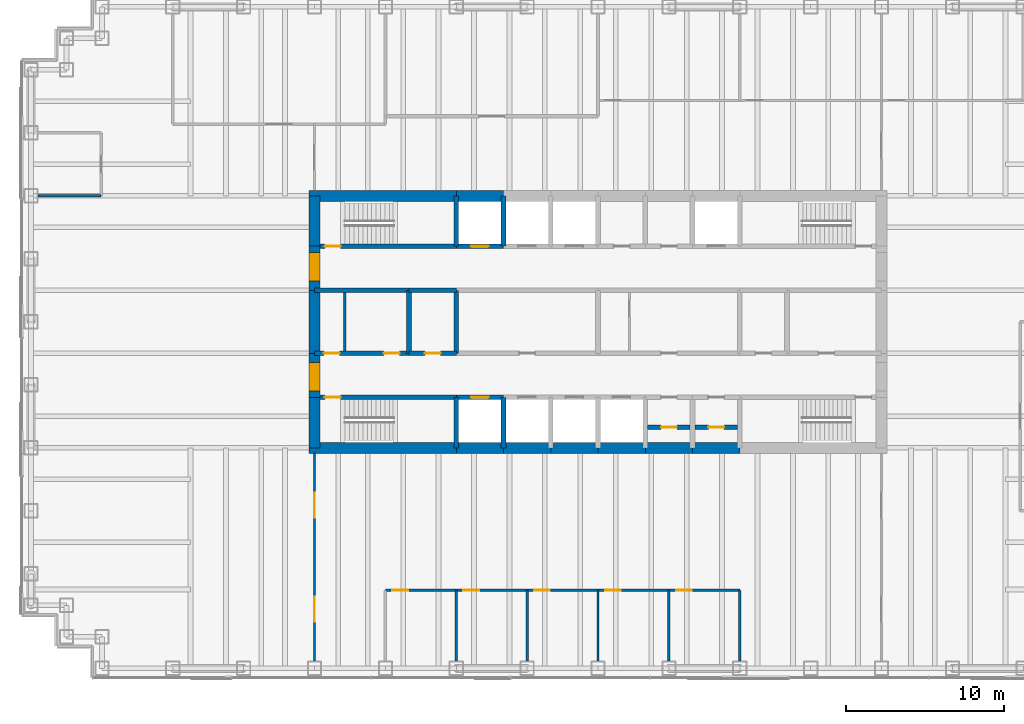
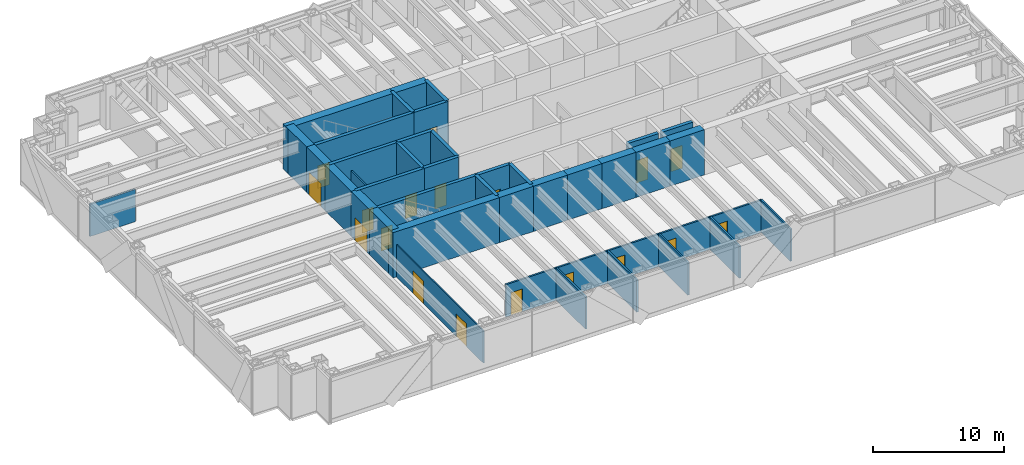
# One storey, part 11 of 15: 39 walls, 18 doors, 18 openings.
"""IFC4 building model written with IfcOpenShell, lengths in metres."""

from ifc_helpers import new_model, si_unit, direction, frame, frame_2d, origin, place, context, subcontext, project, spatial, rectangle, extrude, material, layer, layer_set, type_object, element, fill, save


model = new_model("IFC4")

# Units and contexts
model_context = context("Model", 3, precision=1e-05, world=origin(), true_north=direction((0.0, 1.0)))
body_context = subcontext(model_context, "Body", "Model", "MODEL_VIEW")
ifc_project = project(units=[si_unit("LENGTHUNIT", "METRE"), si_unit("AREAUNIT", "SQUARE_METRE"), si_unit("VOLUMEUNIT", "CUBIC_METRE"), si_unit("PLANEANGLEUNIT", "RADIAN"), si_unit("MASSUNIT", "GRAM", prefix="KILO")], contexts=[model_context])

# Site, building, storey
site_placement = place(None, origin())
site = spatial("IfcSite", under=ifc_project, at=site_placement, CompositionType="ELEMENT")
building_placement = place(site_placement, origin())
building = spatial("IfcBuilding", under=site, at=building_placement, Name="Rheinbord Bourse Tower", CompositionType="ELEMENT")
storey_placement = place(building_placement, frame((0.0, 0.0, 308.89990234375)))
storey = spatial("IfcBuildingStorey", under=building, at=storey_placement, Name="L70", CompositionType="ELEMENT", Elevation=308.89990234375)

# Wall, opening, door
ifc_material_1 = material(Name="Concrete C50/60", Category="concrete")
ifc_layer_1 = layer(ifc_material_1, 0.300048828125)
ifc_layer_set_1 = layer_set([ifc_layer_1], Name="CORE INNER WALL 300")
wall_type_1 = type_object("IfcWallType", Name="CORE INNER WALL 300", PredefinedType="SOLIDWALL", material=ifc_layer_set_1)
wall_1_placement = place(storey_placement, frame((18.0, 19.199951171875, 0.0), z_axis=(0.0, 0.0, 1.0), x_axis=(1.0, 0.0, 0.0)))
wall_1 = element("IfcWall", 1, at=wall_1_placement, inside=storey, type_object=wall_type_1, Name="Core wall A1 L70", PredefinedType="SOLIDWALL", context=body_context, shape_type="SweptSolid", body=[
    extrude(rectangle(XDim=9.0, YDim=0.300048828125, at=frame_2d((4.5, 0.0))), origin(), (0.0, 0.0, 1.0), 4.2001953125),
])
opening_1_placement = place(wall_1_placement, frame((0.64990234375, 0.0, 0.0)))
opening_1 = element("IfcOpeningElement", 2, at=opening_1_placement, cuts=wall_1, Name="Opening 7010", PredefinedType="OPENING", context=body_context, shape_type="SweptSolid", body=[
    extrude(rectangle(XDim=1.0, YDim=2.10009765625, at=frame_2d((0.5, 1.050048828125))), frame((0.0, 0.159912109375, 0.0), z_axis=(0.0, -1.0, 0.0), x_axis=(1.0, 0.0, 0.0)), (0.0, 0.0, 1.0), 0.320068359375),
])
ifc_material_2 = material(Name="Steel door", Category="steel")
door_type_1 = type_object("IfcDoorType", Name="DOOR 1000 EI30", OperationType="SINGLE_SWING_LEFT", PredefinedType="DOOR", material=ifc_material_2)
door_1_placement = place(opening_1_placement, origin())
door_1 = element("IfcDoor", 3, at=door_1_placement, inside=storey, type_object=door_type_1, Name="Stair door ST1 L70", OperationType="SINGLE_SWING_LEFT", OverallHeight=2.10009765625, OverallWidth=1.0, PredefinedType="DOOR", context=body_context, shape_type="SweptSolid", body=[
    extrude(rectangle(XDim=1.0, YDim=2.10009765625, at=frame_2d((0.5, 1.050048828125))), frame((0.0, 0.02490234375, 0.0), z_axis=(0.0, -1.0, 0.0), x_axis=(1.0, 0.0, 0.0)), (0.0, 0.0, 1.0), 0.050048828125),
])
fill(opening_1, door_1)

wall_2_placement = place(storey_placement, frame((27.0, 19.199951171875, 0.0), z_axis=(0.0, 0.0, 1.0), x_axis=(1.0, 0.0, 0.0)))
wall_2 = element("IfcWall", 4, at=wall_2_placement, inside=storey, type_object=wall_type_1, Name="Core wall A2 L70", PredefinedType="SOLIDWALL", context=body_context, shape_type="SweptSolid", body=[
    extrude(rectangle(XDim=3.0, YDim=0.300048828125, at=frame_2d((1.5, 0.0))), origin(), (0.0, 0.0, 1.0), 4.2001953125),
])
opening_2_placement = place(wall_2_placement, frame((0.949951171875, 0.0, 0.0)))
opening_2 = element("IfcOpeningElement", 5, at=opening_2_placement, cuts=wall_2, Name="Opening FL1", PredefinedType="OPENING", context=body_context, shape_type="SweptSolid", body=[
    extrude(rectangle(XDim=1.10009765625, YDim=2.199951171875, at=frame_2d((0.550048828125, 1.10009765625))), frame((0.0, 0.159912109375, 0.0), z_axis=(0.0, -1.0, 0.0), x_axis=(1.0, 0.0, 0.0)), (0.0, 0.0, 1.0), 0.320068359375),
])
ifc_material_3 = material(Name="Steel landing door", Category="steel")
door_type_2 = type_object("IfcDoorType", Name="LIFT LANDING DOOR 1100", OperationType="DOUBLE_DOOR_SLIDING", PredefinedType="USERDEFINED", material=ifc_material_3)
door_2_placement = place(opening_2_placement, origin())
door_2 = element("IfcDoor", 6, at=door_2_placement, inside=storey, type_object=door_type_2, Name="Lift landing door FL1 L70", ObjectType="LIFT LANDING DOOR", OperationType="DOUBLE_DOOR_SLIDING", OverallHeight=2.199951171875, OverallWidth=1.10009765625, PredefinedType="USERDEFINED", context=body_context, shape_type="SweptSolid", body=[
    extrude(rectangle(XDim=1.10009765625, YDim=2.199951171875, at=frame_2d((0.550048828125, 1.10009765625))), frame((0.0, 0.02490234375, 0.0), z_axis=(0.0, -1.0, 0.0), x_axis=(1.0, 0.0, 0.0)), (0.0, 0.0, 1.0), 0.050048828125),
])
fill(opening_2, door_2)

wall_3_placement = place(storey_placement, frame((18.0, 28.800048828125, 0.0), z_axis=(0.0, 0.0, 1.0), x_axis=(1.0, 0.0, 0.0)))
wall_3 = element("IfcWall", 7, at=wall_3_placement, inside=storey, type_object=wall_type_1, Name="Core wall B1 L70", PredefinedType="SOLIDWALL", context=body_context, shape_type="SweptSolid", body=[
    extrude(rectangle(XDim=9.0, YDim=0.300048828125, at=frame_2d((4.5, 0.0))), origin(), (0.0, 0.0, 1.0), 4.2001953125),
])
opening_3_placement = place(wall_3_placement, frame((0.64990234375, 0.0, 0.0)))
opening_3 = element("IfcOpeningElement", 8, at=opening_3_placement, cuts=wall_3, Name="Opening 7020", PredefinedType="OPENING", context=body_context, shape_type="SweptSolid", body=[
    extrude(rectangle(XDim=1.0, YDim=2.10009765625, at=frame_2d((0.5, 1.050048828125))), frame((0.0, 0.159912109375, 0.0), z_axis=(0.0, -1.0, 0.0), x_axis=(1.0, 0.0, 0.0)), (0.0, 0.0, 1.0), 0.320068359375),
])
door_3_placement = place(opening_3_placement, origin())
door_3 = element("IfcDoor", 9, at=door_3_placement, inside=storey, type_object=door_type_1, Name="Stair door ST2 L70", OperationType="SINGLE_SWING_LEFT", OverallHeight=2.10009765625, OverallWidth=1.0, PredefinedType="DOOR", context=body_context, shape_type="SweptSolid", body=[
    extrude(rectangle(XDim=1.0, YDim=2.10009765625, at=frame_2d((0.5, 1.050048828125))), frame((0.0, 0.02490234375, 0.0), z_axis=(0.0, -1.0, 0.0), x_axis=(1.0, 0.0, 0.0)), (0.0, 0.0, 1.0), 0.050048828125),
])
fill(opening_3, door_3)

wall_4_placement = place(storey_placement, frame((27.0, 28.800048828125, 0.0), z_axis=(0.0, 0.0, 1.0), x_axis=(1.0, 0.0, 0.0)))
wall_4 = element("IfcWall", 10, at=wall_4_placement, inside=storey, type_object=wall_type_1, Name="Core wall B2 L70", PredefinedType="SOLIDWALL", context=body_context, shape_type="SweptSolid", body=[
    extrude(rectangle(XDim=3.0, YDim=0.300048828125, at=frame_2d((1.5, 0.0))), origin(), (0.0, 0.0, 1.0), 4.2001953125),
])
opening_4_placement = place(wall_4_placement, frame((0.949951171875, 0.0, 0.0)))
opening_4 = element("IfcOpeningElement", 11, at=opening_4_placement, cuts=wall_4, Name="Opening GL1", PredefinedType="OPENING", context=body_context, shape_type="SweptSolid", body=[
    extrude(rectangle(XDim=1.10009765625, YDim=2.199951171875, at=frame_2d((0.550048828125, 1.10009765625))), frame((0.0, 0.159912109375, 0.0), z_axis=(0.0, -1.0, 0.0), x_axis=(1.0, 0.0, 0.0)), (0.0, 0.0, 1.0), 0.320068359375),
])
door_4_placement = place(opening_4_placement, origin())
door_4 = element("IfcDoor", 12, at=door_4_placement, inside=storey, type_object=door_type_2, Name="Lift landing door GL1 L70", ObjectType="LIFT LANDING DOOR", OperationType="DOUBLE_DOOR_SLIDING", OverallHeight=2.199951171875, OverallWidth=1.10009765625, PredefinedType="USERDEFINED", context=body_context, shape_type="SweptSolid", body=[
    extrude(rectangle(XDim=1.10009765625, YDim=2.199951171875, at=frame_2d((0.550048828125, 1.10009765625))), frame((0.0, 0.02490234375, 0.0), z_axis=(0.0, -1.0, 0.0), x_axis=(1.0, 0.0, 0.0)), (0.0, 0.0, 1.0), 0.050048828125),
])
fill(opening_4, door_4)

# Wall, openings, doors
wall_5_placement = place(storey_placement, frame((18.0, 22.0, 0.0), z_axis=(0.0, 0.0, 1.0), x_axis=(1.0, 0.0, 0.0)))
wall_5 = element("IfcWall", 13, at=wall_5_placement, inside=storey, type_object=wall_type_1, Name="Core wall C1 L70", PredefinedType="SOLIDWALL", context=body_context, shape_type="SweptSolid", body=[
    extrude(rectangle(XDim=6.0, YDim=0.300048828125, at=frame_2d((3.0, 0.0))), origin(), (0.0, 0.0, 1.0), 4.2001953125),
])
opening_5_placement = place(wall_5_placement, frame((4.39990234375, 0.0, 0.0)))
opening_5 = element("IfcOpeningElement", 14, at=opening_5_placement, cuts=wall_5, Name="Opening 70R1", PredefinedType="OPENING", context=body_context, shape_type="SweptSolid", body=[
    extrude(rectangle(XDim=1.0, YDim=2.10009765625, at=frame_2d((0.5, 1.050048828125))), frame((0.0, 0.159912109375, 0.0), z_axis=(0.0, -1.0, 0.0), x_axis=(1.0, 0.0, 0.0)), (0.0, 0.0, 1.0), 0.320068359375),
])
opening_6_placement = place(wall_5_placement, frame((0.60009765625, 0.0, 0.0)))
opening_6 = element("IfcOpeningElement", 15, at=opening_6_placement, cuts=wall_5, Name="Opening 70R9", PredefinedType="OPENING", context=body_context, shape_type="SweptSolid", body=[
    extrude(rectangle(XDim=1.0, YDim=2.10009765625, at=frame_2d((0.5, 1.050048828125))), frame((0.0, 0.159912109375, 0.0), z_axis=(0.0, -1.0, 0.0), x_axis=(1.0, 0.0, 0.0)), (0.0, 0.0, 1.0), 0.320068359375),
])
door_5_placement = place(opening_6_placement, origin())
door_5 = element("IfcDoor", 16, at=door_5_placement, inside=storey, type_object=door_type_1, Name="Staff shower door L70", OperationType="SINGLE_SWING_LEFT", OverallHeight=2.10009765625, OverallWidth=1.0, PredefinedType="DOOR", context=body_context, shape_type="SweptSolid", body=[
    extrude(rectangle(XDim=1.0, YDim=2.10009765625, at=frame_2d((0.5, 1.050048828125))), frame((0.0, 0.02490234375, 0.0), z_axis=(0.0, -1.0, 0.0), x_axis=(1.0, 0.0, 0.0)), (0.0, 0.0, 1.0), 0.050048828125),
])
fill(opening_6, door_5)
ifc_material_4 = material(Name="Timber door", Category="wood")
door_type_3 = type_object("IfcDoorType", Name="DOOR 1000 WC", OperationType="SINGLE_SWING_LEFT", PredefinedType="DOOR", material=ifc_material_4)
door_6_placement = place(opening_5_placement, origin())
door_6 = element("IfcDoor", 17, at=door_6_placement, inside=storey, type_object=door_type_3, Name="WC men door L70", OperationType="SINGLE_SWING_RIGHT", OverallHeight=2.10009765625, OverallWidth=1.0, PredefinedType="DOOR", context=body_context, shape_type="SweptSolid", body=[
    extrude(rectangle(XDim=1.0, YDim=2.10009765625, at=frame_2d((0.5, 1.050048828125))), frame((0.0, 0.02490234375, 0.0), z_axis=(0.0, -1.0, 0.0), x_axis=(1.0, 0.0, 0.0)), (0.0, 0.0, 1.0), 0.050048828125),
])
fill(opening_5, door_6)

# Wall, opening, door
wall_6_placement = place(storey_placement, frame((24.0, 22.0, 0.0), z_axis=(0.0, 0.0, 1.0), x_axis=(1.0, 0.0, 0.0)))
wall_6 = element("IfcWall", 18, at=wall_6_placement, inside=storey, type_object=wall_type_1, Name="Core wall C2 L70", PredefinedType="SOLIDWALL", context=body_context, shape_type="SweptSolid", body=[
    extrude(rectangle(XDim=3.0, YDim=0.300048828125, at=frame_2d((1.5, 0.0))), origin(), (0.0, 0.0, 1.0), 4.2001953125),
])
opening_7_placement = place(wall_6_placement, frame((1.0, 0.0, 0.0)))
opening_7 = element("IfcOpeningElement", 19, at=opening_7_placement, cuts=wall_6, Name="Opening 70R2", PredefinedType="OPENING", context=body_context, shape_type="SweptSolid", body=[
    extrude(rectangle(XDim=1.0, YDim=2.10009765625, at=frame_2d((0.5, 1.050048828125))), frame((0.0, 0.159912109375, 0.0), z_axis=(0.0, -1.0, 0.0), x_axis=(1.0, 0.0, 0.0)), (0.0, 0.0, 1.0), 0.320068359375),
])
door_7_placement = place(opening_7_placement, origin())
door_7 = element("IfcDoor", 20, at=door_7_placement, inside=storey, type_object=door_type_3, Name="Shower and accessible WC door L70", OperationType="SINGLE_SWING_LEFT", OverallHeight=2.10009765625, OverallWidth=1.0, PredefinedType="DOOR", context=body_context, shape_type="SweptSolid", body=[
    extrude(rectangle(XDim=1.0, YDim=2.10009765625, at=frame_2d((0.5, 1.050048828125))), frame((0.0, 0.02490234375, 0.0), z_axis=(0.0, -1.0, 0.0), x_axis=(1.0, 0.0, 0.0)), (0.0, 0.0, 1.0), 0.050048828125),
])
fill(opening_7, door_7)

# Walls
wall_7_placement = place(storey_placement, frame((18.0, 26.0, 0.0), z_axis=(0.0, 0.0, 1.0), x_axis=(1.0, 0.0, 0.0)))
element("IfcWall", 21, at=wall_7_placement, inside=storey, type_object=wall_type_1, Name="Core wall D1 L70", PredefinedType="SOLIDWALL", context=body_context, shape_type="SweptSolid", body=[
    extrude(rectangle(XDim=6.0, YDim=0.300048828125, at=frame_2d((3.0, 0.0))), origin(), (0.0, 0.0, 1.0), 4.2001953125),
])
wall_8_placement = place(storey_placement, frame((24.0, 26.0, 0.0), z_axis=(0.0, 0.0, 1.0), x_axis=(1.0, 0.0, 0.0)))
element("IfcWall", 22, at=wall_8_placement, inside=storey, type_object=wall_type_1, Name="Core wall D2 L70", PredefinedType="SOLIDWALL", context=body_context, shape_type="SweptSolid", body=[
    extrude(rectangle(XDim=3.0, YDim=0.300048828125, at=frame_2d((1.5, 0.0))), origin(), (0.0, 0.0, 1.0), 4.2001953125),
])
for number, where, z_axis, x_axis, name in (
    (23, (27.0, 16.0, 0.0), (0.0, 0.0, 1.0), (0.0, 1.0, 0.0), "Core wall SX27 L70"),
    (24, (27.0, 28.800048828125, 0.0), (0.0, 0.0, 1.0), (0.0, 1.0, 0.0), "Core wall NX27 L70"),
    (25, (30.0, 16.0, 0.0), (0.0, 0.0, 1.0), (0.0, 1.0, 0.0), "Core wall SX30 L70"),
    (26, (30.0, 28.800048828125, 0.0), (0.0, 0.0, 1.0), (0.0, 1.0, 0.0), "Core wall NX30 L70"),
):
    element("IfcWall", number, at=place(storey_placement, frame(where, z_axis=z_axis, x_axis=x_axis)), inside=storey, type_object=wall_type_1, Name=name, PredefinedType="SOLIDWALL", context=body_context, shape_type="SweptSolid", body=[
        extrude(rectangle(XDim=3.199951171875, YDim=0.300048828125, at=frame_2d((1.60009765625, 0.0))), origin(), (0.0, 0.0, 1.0), 4.2001953125),
    ])
for number, where, z_axis, x_axis, name in (
    (27, (24.0, 22.0, 0.0), (0.0, 0.0, 1.0), (0.0, 1.0, 0.0), "Core wall MX24 L70"),
    (28, (27.0, 22.0, 0.0), (0.0, 0.0, 1.0), (0.0, 1.0, 0.0), "Core wall MX27 L70"),
):
    element("IfcWall", number, at=place(storey_placement, frame(where, z_axis=z_axis, x_axis=x_axis)), inside=storey, type_object=wall_type_1, Name=name, PredefinedType="SOLIDWALL", context=body_context, shape_type="SweptSolid", body=[
        extrude(rectangle(XDim=4.0, YDim=0.300048828125, at=frame_2d((2.0, 0.0))), origin(), (0.0, 0.0, 1.0), 4.2001953125),
    ])

# Wall, opening, door
wall_9_placement = place(storey_placement, frame((39.14990234375, 17.300048828125, 0.0), z_axis=(0.0, 0.0, 1.0), x_axis=(1.0, 0.0, 0.0)))
wall_9 = element("IfcWall", 29, at=wall_9_placement, inside=storey, type_object=wall_type_1, Name="Core riser wall L70-6", PredefinedType="SOLIDWALL", context=body_context, shape_type="SweptSolid", body=[
    extrude(rectangle(XDim=2.7001953125, YDim=0.300048828125, at=frame_2d((1.35009765625, 0.0))), origin(), (0.0, 0.0, 1.0), 4.0400390625),
])
opening_8_placement = place(wall_9_placement, frame((0.85009765625, 0.0, 0.0)))
opening_8 = element("IfcOpeningElement", 30, at=opening_8_placement, cuts=wall_9, Name="Opening 70R12", PredefinedType="OPENING", context=body_context, shape_type="SweptSolid", body=[
    extrude(rectangle(XDim=1.0, YDim=2.10009765625, at=frame_2d((0.5, 1.050048828125))), frame((0.0, 0.159912109375, 0.0), z_axis=(0.0, -1.0, 0.0), x_axis=(1.0, 0.0, 0.0)), (0.0, 0.0, 1.0), 0.320068359375),
])
door_8_placement = place(opening_8_placement, origin())
door_8 = element("IfcDoor", 31, at=door_8_placement, inside=storey, type_object=door_type_1, Name="Comms riser door L70", OperationType="SINGLE_SWING_LEFT", OverallHeight=2.10009765625, OverallWidth=1.0, PredefinedType="DOOR", context=body_context, shape_type="SweptSolid", body=[
    extrude(rectangle(XDim=1.0, YDim=2.10009765625, at=frame_2d((0.5, 1.050048828125))), frame((0.0, 0.02490234375, 0.0), z_axis=(0.0, -1.0, 0.0), x_axis=(1.0, 0.0, 0.0)), (0.0, 0.0, 1.0), 0.050048828125),
])
fill(opening_8, door_8)

wall_10_placement = place(storey_placement, frame((42.14990234375, 17.300048828125, 0.0), z_axis=(0.0, 0.0, 1.0), x_axis=(1.0, 0.0, 0.0)))
wall_10 = element("IfcWall", 32, at=wall_10_placement, inside=storey, type_object=wall_type_1, Name="Core riser wall L70-7", PredefinedType="SOLIDWALL", context=body_context, shape_type="SweptSolid", body=[
    extrude(rectangle(XDim=2.7001953125, YDim=0.300048828125, at=frame_2d((1.35009765625, 0.0))), origin(), (0.0, 0.0, 1.0), 4.0400390625),
])
opening_9_placement = place(wall_10_placement, frame((0.85009765625, 0.0, 0.0)))
opening_9 = element("IfcOpeningElement", 33, at=opening_9_placement, cuts=wall_10, Name="Opening 70R13", PredefinedType="OPENING", context=body_context, shape_type="SweptSolid", body=[
    extrude(rectangle(XDim=1.0, YDim=2.10009765625, at=frame_2d((0.5, 1.050048828125))), frame((0.0, 0.159912109375, 0.0), z_axis=(0.0, -1.0, 0.0), x_axis=(1.0, 0.0, 0.0)), (0.0, 0.0, 1.0), 0.320068359375),
])
door_9_placement = place(opening_9_placement, origin())
door_9 = element("IfcDoor", 34, at=door_9_placement, inside=storey, type_object=door_type_1, Name="Electrical riser door L70", OperationType="SINGLE_SWING_LEFT", OverallHeight=2.10009765625, OverallWidth=1.0, PredefinedType="DOOR", context=body_context, shape_type="SweptSolid", body=[
    extrude(rectangle(XDim=1.0, YDim=2.10009765625, at=frame_2d((0.5, 1.050048828125))), frame((0.0, 0.02490234375, 0.0), z_axis=(0.0, -1.0, 0.0), x_axis=(1.0, 0.0, 0.0)), (0.0, 0.0, 1.0), 0.050048828125),
])
fill(opening_9, door_9)

# Walls
ifc_material_5 = material(Name="Gypsum board fire partition", Category="gypsum board")
ifc_layer_2 = layer(ifc_material_5, 0.14990234375)
ifc_layer_set_2 = layer_set([ifc_layer_2], Name="CORE PARTITION 150 EI30")
wall_type_2 = type_object("IfcWallType", Name="CORE PARTITION 150 EI30", PredefinedType="PARTITIONING", material=ifc_layer_set_2)
wall_11_placement = place(storey_placement, frame((19.925048828125, 22.14990234375, 0.0), z_axis=(0.0, 0.0, 1.0), x_axis=(0.0, 1.0, 0.0)))
element("IfcWall", 35, at=wall_11_placement, inside=storey, type_object=wall_type_2, Name="Core partition L70-2", PredefinedType="PARTITIONING", context=body_context, shape_type="SweptSolid", body=[
    extrude(rectangle(XDim=3.7001953125, YDim=0.14990234375, at=frame_2d((1.85009765625, 0.0))), origin(), (0.0, 0.0, 1.0), 3.0),
])
ifc_material_6 = material(Name="Concrete C50/60", Category="concrete")
ifc_layer_3 = layer(ifc_material_6, 0.699951171875)
ifc_layer_set_3 = layer_set([ifc_layer_3], Name="CORE WALL 700")
wall_type_3 = type_object("IfcWallType", Name="CORE WALL 700", PredefinedType="SHEAR", material=ifc_layer_set_3)
wall_12_placement = place(storey_placement, frame((17.64990234375, 16.0, 0.0), z_axis=(0.0, 0.0, 1.0), x_axis=(1.0, 0.0, 0.0)))
element("IfcWall", 36, at=wall_12_placement, inside=storey, type_object=wall_type_3, Name="Core wall S1 L70", PredefinedType="SHEAR", context=body_context, shape_type="SweptSolid", body=[
    extrude(rectangle(XDim=9.35009765625, YDim=0.699951171875, at=frame_2d((4.675048828125, 0.0))), origin(), (0.0, 0.0, 1.0), 4.2001953125),
])
for number, where, z_axis, x_axis, name in (
    (37, (27.0, 16.0, 0.0), (0.0, 0.0, 1.0), (1.0, 0.0, 0.0), "Core wall S2 L70"),
    (38, (30.0, 16.0, 0.0), (0.0, 0.0, 1.0), (1.0, 0.0, 0.0), "Core wall S3 L70"),
    (39, (33.0, 16.0, 0.0), (0.0, 0.0, 1.0), (1.0, 0.0, 0.0), "Core wall S4 L70"),
    (40, (36.0, 16.0, 0.0), (0.0, 0.0, 1.0), (1.0, 0.0, 0.0), "Core wall S5 L70"),
    (41, (39.0, 16.0, 0.0), (0.0, 0.0, 1.0), (1.0, 0.0, 0.0), "Core wall S6 L70"),
    (42, (42.0, 16.0, 0.0), (0.0, 0.0, 1.0), (1.0, 0.0, 0.0), "Core wall S7 L70"),
    (43, (30.0, 32.0, 0.0), (0.0, 0.0, 1.0), (-1.0, 0.0, 0.0), "Core wall N7 L70"),
):
    element("IfcWall", number, at=place(storey_placement, frame(where, z_axis=z_axis, x_axis=x_axis)), inside=storey, type_object=wall_type_3, Name=name, PredefinedType="SHEAR", context=body_context, shape_type="SweptSolid", body=[
        extrude(rectangle(XDim=3.0, YDim=0.699951171875, at=frame_2d((1.5, 0.0))), origin(), (0.0, 0.0, 1.0), 4.2001953125),
    ])
wall_13_placement = place(storey_placement, frame((27.0, 32.0, 0.0), z_axis=(0.0, 0.0, 1.0), x_axis=(-1.0, 0.0, 0.0)))
element("IfcWall", 44, at=wall_13_placement, inside=storey, type_object=wall_type_3, Name="Core wall N8 L70", PredefinedType="SHEAR", context=body_context, shape_type="SweptSolid", body=[
    extrude(rectangle(XDim=9.35009765625, YDim=0.699951171875, at=frame_2d((4.675048828125, 0.0))), origin(), (0.0, 0.0, 1.0), 4.2001953125),
])
wall_14_placement = place(storey_placement, frame((18.0, 32.0, 0.0), z_axis=(0.0, 0.0, 1.0), x_axis=(0.0, -1.0, 0.0)))
element("IfcWall", 45, at=wall_14_placement, inside=storey, type_object=wall_type_3, Name="Core wall W1 L70", PredefinedType="SHEAR", context=body_context, shape_type="SweptSolid", body=[
    extrude(rectangle(XDim=3.199951171875, YDim=0.699951171875, at=frame_2d((1.60009765625, 0.0))), origin(), (0.0, 0.0, 1.0), 4.2001953125),
])

# Wall, opening, door
wall_15_placement = place(storey_placement, frame((18.0, 28.800048828125, 0.0), z_axis=(0.0, 0.0, 1.0), x_axis=(0.0, -1.0, 0.0)))
wall_15 = element("IfcWall", 46, at=wall_15_placement, inside=storey, type_object=wall_type_3, Name="Core wall W2 L70", PredefinedType="SHEAR", context=body_context, shape_type="SweptSolid", body=[
    extrude(rectangle(XDim=2.800048828125, YDim=0.699951171875, at=frame_2d((1.39990234375, 0.0))), origin(), (0.0, 0.0, 1.0), 4.2001953125),
])
opening_10_placement = place(wall_15_placement, frame((0.39990234375, 0.0, 0.0)))
opening_10 = element("IfcOpeningElement", 47, at=opening_10_placement, cuts=wall_15, Name="Opening 70L2", PredefinedType="OPENING", context=body_context, shape_type="SweptSolid", body=[
    extrude(rectangle(XDim=1.800048828125, YDim=2.10009765625, at=frame_2d((0.89990234375, 1.050048828125))), frame((0.0, 0.35986328125, 0.0), z_axis=(0.0, -1.0, 0.0), x_axis=(1.0, 0.0, 0.0)), (0.0, 0.0, 1.0), 0.719970703125),
])
ifc_material_7 = material(Name="Steel door", Category="steel")
door_type_4 = type_object("IfcDoorType", Name="DOOR 1800 EI30 DOUBLE", OperationType="DOUBLE_DOOR_DOUBLE_SWING", PredefinedType="DOOR", material=ifc_material_7)
door_10_placement = place(opening_10_placement, origin())
door_10 = element("IfcDoor", 48, at=door_10_placement, inside=storey, type_object=door_type_4, Name="Lobby door 2 L70", OperationType="SINGLE_SWING_LEFT", OverallHeight=2.10009765625, OverallWidth=1.800048828125, PredefinedType="DOOR", context=body_context, shape_type="SweptSolid", body=[
    extrude(rectangle(XDim=1.800048828125, YDim=2.10009765625, at=frame_2d((0.89990234375, 1.050048828125))), frame((0.0, 0.349609375, 0.0), z_axis=(0.0, -1.0, 0.0), x_axis=(1.0, 0.0, 0.0)), (0.0, 0.0, 1.0), 0.699462890625),
])
fill(opening_10, door_10)

# Wall
wall_16_placement = place(storey_placement, frame((18.0, 26.0, 0.0), z_axis=(0.0, 0.0, 1.0), x_axis=(0.0, -1.0, 0.0)))
element("IfcWall", 49, at=wall_16_placement, inside=storey, type_object=wall_type_3, Name="Core wall W3 L70", PredefinedType="SHEAR", context=body_context, shape_type="SweptSolid", body=[
    extrude(rectangle(XDim=4.0, YDim=0.699951171875, at=frame_2d((2.0, 0.0))), origin(), (0.0, 0.0, 1.0), 4.2001953125),
])

# Wall, opening, door
wall_17_placement = place(storey_placement, frame((18.0, 22.0, 0.0), z_axis=(0.0, 0.0, 1.0), x_axis=(0.0, -1.0, 0.0)))
wall_17 = element("IfcWall", 50, at=wall_17_placement, inside=storey, type_object=wall_type_3, Name="Core wall W4 L70", PredefinedType="SHEAR", context=body_context, shape_type="SweptSolid", body=[
    extrude(rectangle(XDim=2.800048828125, YDim=0.699951171875, at=frame_2d((1.39990234375, 0.0))), origin(), (0.0, 0.0, 1.0), 4.2001953125),
])
opening_11_placement = place(wall_17_placement, frame((0.60009765625, 0.0, 0.0)))
opening_11 = element("IfcOpeningElement", 51, at=opening_11_placement, cuts=wall_17, Name="Opening 70L1", PredefinedType="OPENING", context=body_context, shape_type="SweptSolid", body=[
    extrude(rectangle(XDim=1.800048828125, YDim=2.10009765625, at=frame_2d((0.89990234375, 1.050048828125))), frame((0.0, 0.35986328125, 0.0), z_axis=(0.0, -1.0, 0.0), x_axis=(1.0, 0.0, 0.0)), (0.0, 0.0, 1.0), 0.719970703125),
])
door_11_placement = place(opening_11_placement, origin())
door_11 = element("IfcDoor", 52, at=door_11_placement, inside=storey, type_object=door_type_4, Name="Lobby door 1 L70", OperationType="SINGLE_SWING_LEFT", OverallHeight=2.10009765625, OverallWidth=1.800048828125, PredefinedType="DOOR", context=body_context, shape_type="SweptSolid", body=[
    extrude(rectangle(XDim=1.800048828125, YDim=2.10009765625, at=frame_2d((0.89990234375, 1.050048828125))), frame((0.0, 0.349609375, 0.0), z_axis=(0.0, -1.0, 0.0), x_axis=(1.0, 0.0, 0.0)), (0.0, 0.0, 1.0), 0.699462890625),
])
fill(opening_11, door_11)

# Wall
wall_18_placement = place(storey_placement, frame((18.0, 19.199951171875, 0.0), z_axis=(0.0, 0.0, 1.0), x_axis=(0.0, -1.0, 0.0)))
element("IfcWall", 53, at=wall_18_placement, inside=storey, type_object=wall_type_3, Name="Core wall W5 L70", PredefinedType="SHEAR", context=body_context, shape_type="SweptSolid", body=[
    extrude(rectangle(XDim=3.199951171875, YDim=0.699951171875, at=frame_2d((1.60009765625, 0.0))), origin(), (0.0, 0.0, 1.0), 4.2001953125),
])

# Wall, openings, doors
ifc_material_8 = material(Name="Toughened laminated glass partition", Category="glass")
ifc_layer_4 = layer(ifc_material_8, 0.10009765625)
ifc_layer_set_4 = layer_set([ifc_layer_4], Name="GLAZED PARTITION 100")
wall_type_4 = type_object("IfcWallType", Name="GLAZED PARTITION 100", PredefinedType="PARTITIONING", material=ifc_layer_set_4)
wall_19_placement = place(storey_placement, frame((18.0, 2.449951171875, 0.0), z_axis=(0.0, 0.0, 1.0), x_axis=(0.0, 1.0, 0.0)))
wall_19 = element("IfcWall", 54, at=wall_19_placement, inside=storey, type_object=wall_type_4, Name="Partition L70-11", PredefinedType="PARTITIONING", context=body_context, shape_type="SweptSolid", body=[
    extrude(rectangle(XDim=13.199951171875, YDim=0.10009765625, at=frame_2d((6.60009765625, 0.0))), origin(), (0.0, 0.0, 1.0), 3.0),
])
opening_12_placement = place(wall_19_placement, frame((2.5, 0.0, 0.0)))
opening_12 = element("IfcOpeningElement", 55, at=opening_12_placement, cuts=wall_19, Name="Opening 70D13", PredefinedType="OPENING", context=body_context, shape_type="SweptSolid", body=[
    extrude(rectangle(XDim=1.60009765625, YDim=2.10009765625, at=frame_2d((0.800048828125, 1.050048828125))), frame((0.0, 0.06005859375, 0.0), z_axis=(0.0, -1.0, 0.0), x_axis=(1.0, 0.0, 0.0)), (0.0, 0.0, 1.0), 0.1201171875),
])
opening_13_placement = place(wall_19_placement, frame((9.10009765625, 0.0, 0.0)))
opening_13 = element("IfcOpeningElement", 56, at=opening_13_placement, cuts=wall_19, Name="Opening 70D14", PredefinedType="OPENING", context=body_context, shape_type="SweptSolid", body=[
    extrude(rectangle(XDim=1.60009765625, YDim=2.10009765625, at=frame_2d((0.800048828125, 1.050048828125))), frame((0.0, 0.06005859375, 0.0), z_axis=(0.0, -1.0, 0.0), x_axis=(1.0, 0.0, 0.0)), (0.0, 0.0, 1.0), 0.1201171875),
])
ifc_material_9 = material(Name="Timber door", Category="wood")
door_type_5 = type_object("IfcDoorType", Name="DOUBLE ROOM DOOR 1600", OperationType="DOUBLE_DOOR_DOUBLE_SWING", PredefinedType="DOOR", material=ifc_material_9)
door_12_placement = place(opening_12_placement, origin())
door_12 = element("IfcDoor", 57, at=door_12_placement, inside=storey, type_object=door_type_5, Name="Open area door L70", OperationType="SINGLE_SWING_LEFT", OverallHeight=2.10009765625, OverallWidth=1.60009765625, PredefinedType="DOOR", context=body_context, shape_type="SweptSolid", body=[
    extrude(rectangle(XDim=1.60009765625, YDim=2.10009765625, at=frame_2d((0.800048828125, 1.050048828125))), frame((0.0, 0.02490234375, 0.0), z_axis=(0.0, -1.0, 0.0), x_axis=(1.0, 0.0, 0.0)), (0.0, 0.0, 1.0), 0.050048828125),
])
fill(opening_12, door_12)
door_13_placement = place(opening_13_placement, origin())
door_13 = element("IfcDoor", 58, at=door_13_placement, inside=storey, type_object=door_type_5, Name="Open area door L70", OperationType="SINGLE_SWING_LEFT", OverallHeight=2.10009765625, OverallWidth=1.60009765625, PredefinedType="DOOR", context=body_context, shape_type="SweptSolid", body=[
    extrude(rectangle(XDim=1.60009765625, YDim=2.10009765625, at=frame_2d((0.800048828125, 1.050048828125))), frame((0.0, 0.02490234375, 0.0), z_axis=(0.0, -1.0, 0.0), x_axis=(1.0, 0.0, 0.0)), (0.0, 0.0, 1.0), 0.050048828125),
])
fill(opening_13, door_13)

ifc_material_10 = material(Name="Gypsum board partition", Category="gypsum board")
ifc_layer_5 = layer(ifc_material_10, 0.14990234375)
ifc_layer_set_5 = layer_set([ifc_layer_5], Name="PARTITION 150")
wall_type_5 = type_object("IfcWallType", Name="PARTITION 150", PredefinedType="PARTITIONING", material=ifc_layer_set_5)
wall_20_placement = place(storey_placement, frame((22.5, 6.949951171875, 0.0), z_axis=(0.0, 0.0, 1.0), x_axis=(1.0, 0.0, 0.0)))
wall_20 = element("IfcWall", 59, at=wall_20_placement, inside=storey, type_object=wall_type_5, Name="Partition L70-01", PredefinedType="PARTITIONING", context=body_context, shape_type="SweptSolid", body=[
    extrude(rectangle(XDim=22.5, YDim=0.14990234375, at=frame_2d((11.25, 0.0))), origin(), (0.0, 0.0, 1.0), 3.0),
])
opening_14_placement = place(wall_20_placement, frame((0.449951171875, 0.0, 0.0)))
opening_14 = element("IfcOpeningElement", 60, at=opening_14_placement, cuts=wall_20, Name="Opening 70D01", PredefinedType="OPENING", context=body_context, shape_type="SweptSolid", body=[
    extrude(rectangle(XDim=1.0, YDim=2.10009765625, at=frame_2d((0.5, 1.050048828125))), frame((0.0, 0.0849609375, 0.0), z_axis=(0.0, -1.0, 0.0), x_axis=(1.0, 0.0, 0.0)), (0.0, 0.0, 1.0), 0.169921875),
])
opening_15_placement = place(wall_20_placement, frame((4.949951171875, 0.0, 0.0)))
opening_15 = element("IfcOpeningElement", 61, at=opening_15_placement, cuts=wall_20, Name="Opening 70D02", PredefinedType="OPENING", context=body_context, shape_type="SweptSolid", body=[
    extrude(rectangle(XDim=1.0, YDim=2.10009765625, at=frame_2d((0.5, 1.050048828125))), frame((0.0, 0.0849609375, 0.0), z_axis=(0.0, -1.0, 0.0), x_axis=(1.0, 0.0, 0.0)), (0.0, 0.0, 1.0), 0.169921875),
])
opening_16_placement = place(wall_20_placement, frame((9.449951171875, 0.0, 0.0)))
opening_16 = element("IfcOpeningElement", 62, at=opening_16_placement, cuts=wall_20, Name="Opening 70D03", PredefinedType="OPENING", context=body_context, shape_type="SweptSolid", body=[
    extrude(rectangle(XDim=1.0, YDim=2.10009765625, at=frame_2d((0.5, 1.050048828125))), frame((0.0, 0.0849609375, 0.0), z_axis=(0.0, -1.0, 0.0), x_axis=(1.0, 0.0, 0.0)), (0.0, 0.0, 1.0), 0.169921875),
])
opening_17_placement = place(wall_20_placement, frame((13.949951171875, 0.0, 0.0)))
opening_17 = element("IfcOpeningElement", 63, at=opening_17_placement, cuts=wall_20, Name="Opening 70D04", PredefinedType="OPENING", context=body_context, shape_type="SweptSolid", body=[
    extrude(rectangle(XDim=1.0, YDim=2.10009765625, at=frame_2d((0.5, 1.050048828125))), frame((0.0, 0.0849609375, 0.0), z_axis=(0.0, -1.0, 0.0), x_axis=(1.0, 0.0, 0.0)), (0.0, 0.0, 1.0), 0.169921875),
])
opening_18_placement = place(wall_20_placement, frame((18.449951171875, 0.0, 0.0)))
opening_18 = element("IfcOpeningElement", 64, at=opening_18_placement, cuts=wall_20, Name="Opening 70D05", PredefinedType="OPENING", context=body_context, shape_type="SweptSolid", body=[
    extrude(rectangle(XDim=1.0, YDim=2.10009765625, at=frame_2d((0.5, 1.050048828125))), frame((0.0, 0.0849609375, 0.0), z_axis=(0.0, -1.0, 0.0), x_axis=(1.0, 0.0, 0.0)), (0.0, 0.0, 1.0), 0.169921875),
])
ifc_material_11 = material(Name="Timber door", Category="wood")
door_type_6 = type_object("IfcDoorType", Name="ROOM DOOR 1000", OperationType="SINGLE_SWING_LEFT", PredefinedType="DOOR", material=ifc_material_11)
door_14_placement = place(opening_14_placement, origin())
door_14 = element("IfcDoor", 65, at=door_14_placement, inside=storey, type_object=door_type_6, Name="Office door L70", OperationType="SINGLE_SWING_LEFT", OverallHeight=2.10009765625, OverallWidth=1.0, PredefinedType="DOOR", context=body_context, shape_type="SweptSolid", body=[
    extrude(rectangle(XDim=1.0, YDim=2.10009765625, at=frame_2d((0.5, 1.050048828125))), frame((0.0, 0.02490234375, 0.0), z_axis=(0.0, -1.0, 0.0), x_axis=(1.0, 0.0, 0.0)), (0.0, 0.0, 1.0), 0.050048828125),
])
fill(opening_14, door_14)
door_15_placement = place(opening_15_placement, origin())
door_15 = element("IfcDoor", 66, at=door_15_placement, inside=storey, type_object=door_type_6, Name="Office door L70", OperationType="SINGLE_SWING_LEFT", OverallHeight=2.10009765625, OverallWidth=1.0, PredefinedType="DOOR", context=body_context, shape_type="SweptSolid", body=[
    extrude(rectangle(XDim=1.0, YDim=2.10009765625, at=frame_2d((0.5, 1.050048828125))), frame((0.0, 0.02490234375, 0.0), z_axis=(0.0, -1.0, 0.0), x_axis=(1.0, 0.0, 0.0)), (0.0, 0.0, 1.0), 0.050048828125),
])
fill(opening_15, door_15)
door_16_placement = place(opening_16_placement, origin())
door_16 = element("IfcDoor", 67, at=door_16_placement, inside=storey, type_object=door_type_6, Name="Office door L70", OperationType="SINGLE_SWING_LEFT", OverallHeight=2.10009765625, OverallWidth=1.0, PredefinedType="DOOR", context=body_context, shape_type="SweptSolid", body=[
    extrude(rectangle(XDim=1.0, YDim=2.10009765625, at=frame_2d((0.5, 1.050048828125))), frame((0.0, 0.02490234375, 0.0), z_axis=(0.0, -1.0, 0.0), x_axis=(1.0, 0.0, 0.0)), (0.0, 0.0, 1.0), 0.050048828125),
])
fill(opening_16, door_16)
door_17_placement = place(opening_17_placement, origin())
door_17 = element("IfcDoor", 68, at=door_17_placement, inside=storey, type_object=door_type_6, Name="Office door L70", OperationType="SINGLE_SWING_RIGHT", OverallHeight=2.10009765625, OverallWidth=1.0, PredefinedType="DOOR", context=body_context, shape_type="SweptSolid", body=[
    extrude(rectangle(XDim=1.0, YDim=2.10009765625, at=frame_2d((0.5, 1.050048828125))), frame((0.0, 0.02490234375, 0.0), z_axis=(0.0, -1.0, 0.0), x_axis=(1.0, 0.0, 0.0)), (0.0, 0.0, 1.0), 0.050048828125),
])
fill(opening_17, door_17)
door_18_placement = place(opening_18_placement, origin())
door_18 = element("IfcDoor", 69, at=door_18_placement, inside=storey, type_object=door_type_6, Name="Pantry door L70", OperationType="SINGLE_SWING_RIGHT", OverallHeight=2.10009765625, OverallWidth=1.0, PredefinedType="DOOR", context=body_context, shape_type="SweptSolid", body=[
    extrude(rectangle(XDim=1.0, YDim=2.10009765625, at=frame_2d((0.5, 1.050048828125))), frame((0.0, 0.02490234375, 0.0), z_axis=(0.0, -1.0, 0.0), x_axis=(1.0, 0.0, 0.0)), (0.0, 0.0, 1.0), 0.050048828125),
])
fill(opening_18, door_18)

# Walls
wall_21_placement = place(storey_placement, frame((0.449951171875, 32.0, 0.0), z_axis=(0.0, 0.0, 1.0), x_axis=(1.0, 0.0, 0.0)))
element("IfcWall", 70, at=wall_21_placement, inside=storey, type_object=wall_type_5, Name="Partition L70-04", PredefinedType="PARTITIONING", context=body_context, shape_type="SweptSolid", body=[
    extrude(rectangle(XDim=4.0, YDim=0.14990234375, at=frame_2d((2.0, 0.0))), origin(), (0.0, 0.0, 1.0), 3.0),
])
for number, where, z_axis, x_axis, name in (
    (71, (27.0, 2.449951171875, 0.0), (0.0, 0.0, 1.0), (0.0, 1.0, 0.0), "Partition L70-16"),
    (72, (31.5, 2.449951171875, 0.0), (0.0, 0.0, 1.0), (0.0, 1.0, 0.0), "Partition L70-17"),
    (73, (36.0, 2.449951171875, 0.0), (0.0, 0.0, 1.0), (0.0, 1.0, 0.0), "Partition L70-18"),
    (74, (40.5, 2.449951171875, 0.0), (0.0, 0.0, 1.0), (0.0, 1.0, 0.0), "Partition L70-20"),
    (75, (45.0, 2.449951171875, 0.0), (0.0, 0.0, 1.0), (0.0, 1.0, 0.0), "Partition L70-21"),
):
    element("IfcWall", number, at=place(storey_placement, frame(where, z_axis=z_axis, x_axis=x_axis)), inside=storey, type_object=wall_type_5, Name=name, PredefinedType="PARTITIONING", context=body_context, shape_type="SweptSolid", body=[
        extrude(rectangle(XDim=4.5, YDim=0.14990234375, at=frame_2d((2.25, 0.0))), origin(), (0.0, 0.0, 1.0), 3.0),
    ])

save(model, "model.ifc")
